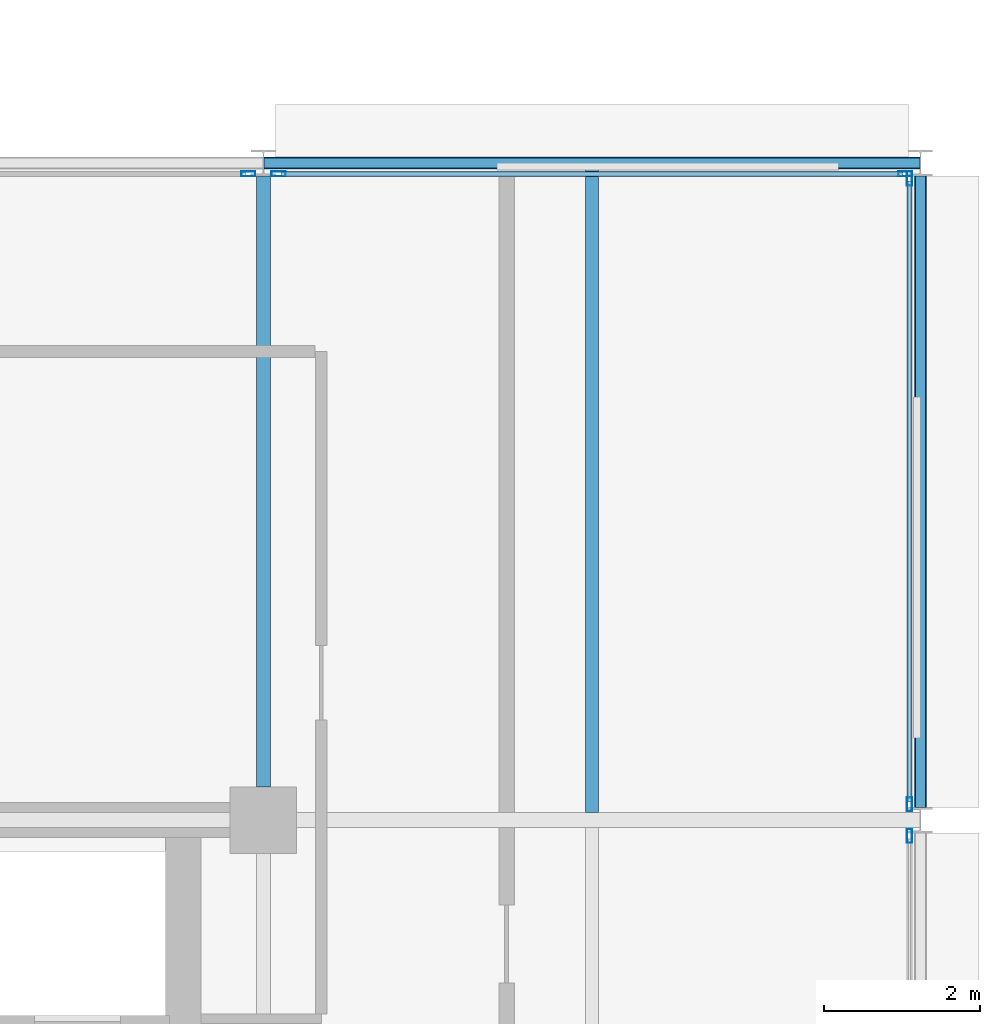
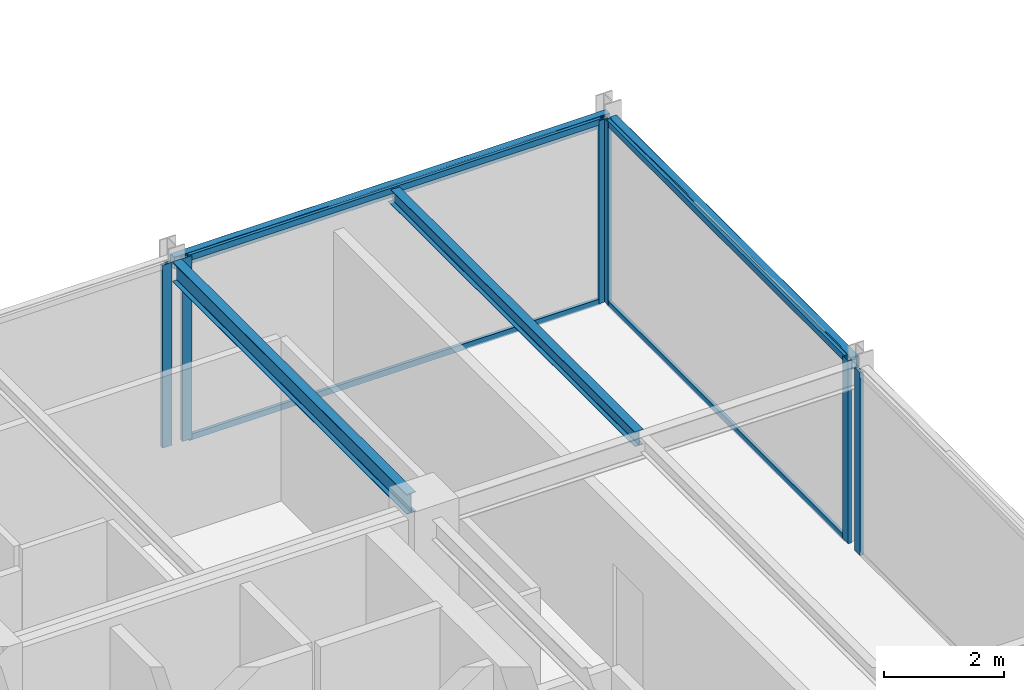
# One storey, part 16 of 27: 10 members, 4 beams, 4 elements without a shape of their own.
"""IFC4 building model written with IfcOpenShell, lengths in metres."""

from ifc_helpers import new_model, si_unit, direction, frame, origin, origin_2d, place, context, subcontext, project, spatial, hollow_rectangle, i_section, extrude, material, layer, layer_set, material_profile, profile_set, type_object, element, aggregate, save


model = new_model("IFC4")

# Units and contexts
model_context = context("Model", 3, precision=1e-05, world=origin(), true_north=direction((0.0, 1.0)))
body_context = subcontext(model_context, "Body", "Model", "MODEL_VIEW")
ifc_project = project(units=[si_unit("LENGTHUNIT", "METRE"), si_unit("AREAUNIT", "SQUARE_METRE"), si_unit("VOLUMEUNIT", "CUBIC_METRE"), si_unit("PLANEANGLEUNIT", "RADIAN"), si_unit("MASSUNIT", "GRAM", prefix="KILO")], contexts=[model_context])

# Site, building, storey
site_placement = place(None, origin())
site = spatial("IfcSite", under=ifc_project, at=site_placement, CompositionType="ELEMENT")
building_placement = place(site_placement, origin())
building = spatial("IfcBuilding", under=site, at=building_placement, Name="Nerrivon Quay Data Exchange", CompositionType="ELEMENT")
storey_placement = place(building_placement, frame((0.0, 0.0, 266.199951171875)))
storey = spatial("IfcBuildingStorey", under=building, at=storey_placement, Name="L63", CompositionType="ELEMENT", Elevation=266.199951171875)

# Beams
ifc_material_1 = material(Name="Steel Grade 350", Category="steel")
ifc_material_profile_1 = material_profile(ifc_material_1, i_section(OverallWidth=0.177978515625, OverallDepth=0.406005859375, WebThickness=0.0078125, FlangeThickness=0.0126953125, FilletRadius=0.011474609375, at=origin_2d()), Name="410UB59.7")
ifc_profile_set_1 = profile_set([ifc_material_profile_1], Name="Steel Grade 350")
beam_type_1 = type_object("IfcBeamType", Name="BM-J1-410UB60", PredefinedType="JOIST", material=ifc_profile_set_1)
beam_1_placement = place(storey_placement, frame((33.60009765625, 17.22509765625, 3.52197265625), z_axis=(0.0, 1.0, 0.0), x_axis=(-1.0, 0.0, 0.0)))
element("IfcBeam", 1, at=beam_1_placement, inside=storey, type_object=beam_type_1, Name="L63 NS Girder X=33.6 (16.8..25.2)", PredefinedType="JOIST", context=body_context, shape_type="SweptSolid", body=[
    extrude(i_section(OverallWidth=0.177978515625, OverallDepth=0.406005859375, WebThickness=0.0078125, FlangeThickness=0.0126953125, FilletRadius=0.011474609375, at=origin_2d()), origin(), (0.0, 0.0, 1.0), 7.8115234375),
])
ifc_material_profile_2 = material_profile(ifc_material_1, i_section(OverallWidth=0.1650390625, OverallDepth=0.303955078125, WebThickness=0.006103515625, FlangeThickness=0.01025390625, FilletRadius=0.011474609375, at=origin_2d()), Name="310UB40.4")
ifc_profile_set_2 = profile_set([ifc_material_profile_2], Name="Steel Grade 350")
beam_type_2 = type_object("IfcBeamType", Name="BM-J6-310UB40", PredefinedType="JOIST", material=ifc_profile_set_2)
beam_2_placement = place(storey_placement, frame((37.800048828125, 16.89501953125, 3.572998046875), z_axis=(0.0, 1.0, 0.0), x_axis=(-1.0, 0.0, 0.0)))
element("IfcBeam", 2, at=beam_2_placement, inside=storey, type_object=beam_type_2, Name="L63 Secondary Joist X=37.8 (16.8..25.2)", PredefinedType="JOIST", context=body_context, shape_type="SweptSolid", body=[
    extrude(i_section(OverallWidth=0.1650390625, OverallDepth=0.303955078125, WebThickness=0.006103515625, FlangeThickness=0.01025390625, FilletRadius=0.011474609375, at=origin_2d()), origin(), (0.0, 0.0, 1.0), 8.22998046875),
])
ifc_material_2 = material(Name="Steel Grade C350L0 (350 MPa)", Category="steel")
ifc_material_profile_3 = material_profile(ifc_material_2, hollow_rectangle(XDim=0.14990234375, YDim=0.25, WallThickness=0.009033203125, InnerFilletRadius=0.013427734375, OuterFilletRadius=0.0224609375, at=origin_2d()), Name="250x150x9.0RHS")
ifc_profile_set_3 = profile_set([ifc_material_profile_3], Name="Steel Grade C350L0 (350 MPa)")
beam_type_3 = type_object("IfcBeamType", Name="BM-SP4-250x150RHS", PredefinedType="SPANDREL", material=ifc_profile_set_3)
beam_3_placement = place(storey_placement, frame((33.60791015625, 25.199951171875, 3.60009765625), z_axis=(1.0, 0.0, 0.0), x_axis=(0.0, 1.0, 0.0)))
element("IfcBeam", 3, at=beam_3_placement, inside=storey, type_object=beam_type_3, Name="L63 EW Girder Y=25.2 (33.6..42.0)", PredefinedType="SPANDREL", context=body_context, shape_type="SweptSolid", body=[
    extrude(hollow_rectangle(XDim=0.14990234375, YDim=0.25, WallThickness=0.009033203125, InnerFilletRadius=0.013427734375, OuterFilletRadius=0.0224609375, at=origin_2d()), origin(), (0.0, 0.0, 1.0), 8.38427734375),
])
beam_4_placement = place(storey_placement, frame((42.0, 16.96337890625, 3.60009765625), z_axis=(0.0, 1.0, 0.0), x_axis=(-1.0, 0.0, 0.0)))
element("IfcBeam", 4, at=beam_4_placement, inside=storey, type_object=beam_type_3, Name="L63 NS Girder X=42.0 (16.8..25.2)", PredefinedType="SPANDREL", context=body_context, shape_type="SweptSolid", body=[
    extrude(hollow_rectangle(XDim=0.14990234375, YDim=0.25, WallThickness=0.009033203125, InnerFilletRadius=0.013427734375, OuterFilletRadius=0.0224609375, at=origin_2d()), origin(), (0.0, 0.0, 1.0), 8.0732421875),
])

# Curtain wall, member
ifc_material_3 = material(Name="Anodised aluminium 6063-T6", Category="aluminium")
ifc_layer = layer(ifc_material_3, 0.195068359375)
ifc_layer_set = layer_set([ifc_layer], Name="Anodised aluminium 6063-T6")
curtain_wall_type = type_object("IfcCurtainWallType", Name="CW-SYS-06", PredefinedType="NOTDEFINED", material=ifc_layer_set)
curtain_wall_1_placement = place(storey_placement, origin())
curtain_wall_1 = element("IfcCurtainWall", 5, at=curtain_wall_1_placement, inside=storey, type_object=curtain_wall_type, Name="L63 Unitised Curtain Wall 24", PredefinedType="NOTDEFINED")
ifc_material_profile_4 = material_profile(ifc_material_3, hollow_rectangle(XDim=0.06494140625, YDim=0.179931640625, WallThickness=0.00341796875, at=origin_2d()), Name="ALU-MULL-180x65")
ifc_profile_set_4 = profile_set([ifc_material_profile_4], Name="Anodised aluminium 6063-T6")
member_type_1 = type_object("IfcMemberType", Name="CWM-180x65", PredefinedType="MULLION", material=ifc_profile_set_4)
member_1_placement = place(storey_placement, frame((33.406982421875, 25.06005859375, 0.0), z_axis=(0.0, 0.0, 1.0), x_axis=(0.0, 1.0, 0.0)))
member_1 = element("IfcMember", 6, at=member_1_placement, type_object=member_type_1, Name="CW06 mullion 2", PredefinedType="MULLION", context=body_context, shape_type="SweptSolid", body=[
    extrude(hollow_rectangle(XDim=0.06494140625, YDim=0.179931640625, WallThickness=0.00341796875, at=origin_2d()), origin(), (0.0, 0.0, 1.0), 3.72509765625),
])
aggregate(curtain_wall_1, [member_1])

# Curtain wall, members
curtain_wall_2_placement = place(storey_placement, origin())
curtain_wall_2 = element("IfcCurtainWall", 7, at=curtain_wall_2_placement, inside=storey, type_object=curtain_wall_type, Name="L63 Unitised Curtain Wall 25", PredefinedType="NOTDEFINED")
member_2_placement = place(storey_placement, frame((33.79296875, 25.06005859375, 0.0), z_axis=(0.0, 0.0, 1.0), x_axis=(0.0, 1.0, 0.0)))
member_2 = element("IfcMember", 8, at=member_2_placement, type_object=member_type_1, Name="CW06 mullion 1", PredefinedType="MULLION", context=body_context, shape_type="SweptSolid", body=[
    extrude(hollow_rectangle(XDim=0.06494140625, YDim=0.179931640625, WallThickness=0.00341796875, at=origin_2d()), origin(), (0.0, 0.0, 1.0), 3.72509765625),
])
member_3_placement = place(storey_placement, frame((41.806884765625, 25.06005859375, 0.0), z_axis=(0.0, 0.0, 1.0), x_axis=(0.0, 1.0, 0.0)))
member_3 = element("IfcMember", 9, at=member_3_placement, type_object=member_type_1, Name="CW06 mullion 2", PredefinedType="MULLION", context=body_context, shape_type="SweptSolid", body=[
    extrude(hollow_rectangle(XDim=0.06494140625, YDim=0.179931640625, WallThickness=0.00341796875, at=origin_2d()), origin(), (0.0, 0.0, 1.0), 3.72509765625),
])

curtain_wall_3_placement = place(storey_placement, origin())
curtain_wall_3 = element("IfcCurtainWall", 10, at=curtain_wall_3_placement, inside=storey, type_object=curtain_wall_type, Name="L63 Unitised Curtain Wall 26", PredefinedType="NOTDEFINED")
member_4_placement = place(storey_placement, frame((41.860107421875, 24.9990234375, 0.0), z_axis=(0.0, 0.0, 1.0), x_axis=(1.0, 0.0, 0.0)))
member_4 = element("IfcMember", 11, at=member_4_placement, type_object=member_type_1, Name="CW06 mullion 1", PredefinedType="MULLION", context=body_context, shape_type="SweptSolid", body=[
    extrude(hollow_rectangle(XDim=0.06494140625, YDim=0.179931640625, WallThickness=0.00341796875, at=origin_2d()), origin(), (0.0, 0.0, 1.0), 3.72509765625),
])
member_5_placement = place(storey_placement, frame((41.860107421875, 17.0009765625, 0.0), z_axis=(0.0, 0.0, 1.0), x_axis=(1.0, 0.0, 0.0)))
member_5 = element("IfcMember", 12, at=member_5_placement, type_object=member_type_1, Name="CW06 mullion 2", PredefinedType="MULLION", context=body_context, shape_type="SweptSolid", body=[
    extrude(hollow_rectangle(XDim=0.06494140625, YDim=0.179931640625, WallThickness=0.00341796875, at=origin_2d()), origin(), (0.0, 0.0, 1.0), 3.72509765625),
])

# Curtain wall, member
curtain_wall_4_placement = place(storey_placement, origin())
curtain_wall_4 = element("IfcCurtainWall", 13, at=curtain_wall_4_placement, inside=storey, type_object=curtain_wall_type, Name="L63 Unitised Curtain Wall 27", PredefinedType="NOTDEFINED")
member_6_placement = place(storey_placement, frame((41.860107421875, 16.59912109375, 0.0), z_axis=(0.0, 0.0, 1.0), x_axis=(1.0, 0.0, 0.0)))
member_6 = element("IfcMember", 14, at=member_6_placement, type_object=member_type_1, Name="CW06 mullion 1", PredefinedType="MULLION", context=body_context, shape_type="SweptSolid", body=[
    extrude(hollow_rectangle(XDim=0.06494140625, YDim=0.179931640625, WallThickness=0.00341796875, at=origin_2d()), origin(), (0.0, 0.0, 1.0), 3.72509765625),
])
aggregate(curtain_wall_4, [member_6])

# Member
ifc_material_profile_5 = material_profile(ifc_material_3, hollow_rectangle(XDim=0.06005859375, YDim=0.1201171875, WallThickness=0.003173828125, at=origin_2d()), Name="ALU-TRAN-120x60")
ifc_profile_set_5 = profile_set([ifc_material_profile_5], Name="Anodised aluminium 6063-T6")
member_type_2 = type_object("IfcMemberType", Name="CWT-120x60", PredefinedType="USERDEFINED", material=ifc_profile_set_5)
member_7_placement = place(storey_placement, frame((33.83056640625, 25.06005859375, 0.032470703125), z_axis=(1.0, 0.0, 0.0), x_axis=(0.0, 1.0, 0.0)))
member_7 = element("IfcMember", 15, at=member_7_placement, type_object=member_type_2, Name="CW06 transom 1.1", ObjectType="TRANSOM", PredefinedType="USERDEFINED", context=body_context, shape_type="SweptSolid", body=[
    extrude(hollow_rectangle(XDim=0.06005859375, YDim=0.1201171875, WallThickness=0.003173828125, at=origin_2d()), origin(), (0.0, 0.0, 1.0), 7.93896484375),
])

member_8_placement = place(storey_placement, frame((33.83056640625, 25.06005859375, 3.692626953125), z_axis=(1.0, 0.0, 0.0), x_axis=(0.0, 1.0, 0.0)))
member_8 = element("IfcMember", 16, at=member_8_placement, type_object=member_type_2, Name="CW06 transom 1.2", ObjectType="TRANSOM", PredefinedType="USERDEFINED", context=body_context, shape_type="SweptSolid", body=[
    extrude(hollow_rectangle(XDim=0.06005859375, YDim=0.1201171875, WallThickness=0.003173828125, at=origin_2d()), origin(), (0.0, 0.0, 1.0), 7.93896484375),
])

aggregate(curtain_wall_2, [member_2, member_3, member_7, member_8])

member_9_placement = place(storey_placement, frame((41.860107421875, 24.96142578125, 0.032470703125), z_axis=(0.0, -1.0, 0.0), x_axis=(1.0, 0.0, 0.0)))
member_9 = element("IfcMember", 17, at=member_9_placement, type_object=member_type_2, Name="CW06 transom 1.1", ObjectType="TRANSOM", PredefinedType="USERDEFINED", context=body_context, shape_type="SweptSolid", body=[
    extrude(hollow_rectangle(XDim=0.06005859375, YDim=0.1201171875, WallThickness=0.003173828125, at=origin_2d()), origin(), (0.0, 0.0, 1.0), 7.9228515625),
])

member_10_placement = place(storey_placement, frame((41.860107421875, 24.96142578125, 3.692626953125), z_axis=(0.0, -1.0, 0.0), x_axis=(1.0, 0.0, 0.0)))
member_10 = element("IfcMember", 18, at=member_10_placement, type_object=member_type_2, Name="CW06 transom 1.2", ObjectType="TRANSOM", PredefinedType="USERDEFINED", context=body_context, shape_type="SweptSolid", body=[
    extrude(hollow_rectangle(XDim=0.06005859375, YDim=0.1201171875, WallThickness=0.003173828125, at=origin_2d()), origin(), (0.0, 0.0, 1.0), 7.9228515625),
])

aggregate(curtain_wall_3, [member_4, member_5, member_9, member_10])

save(model, "model.ifc")
